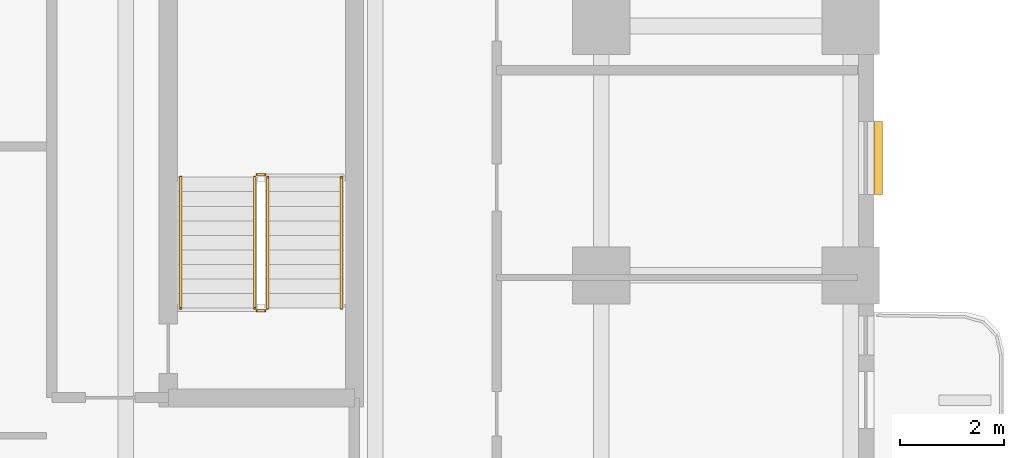
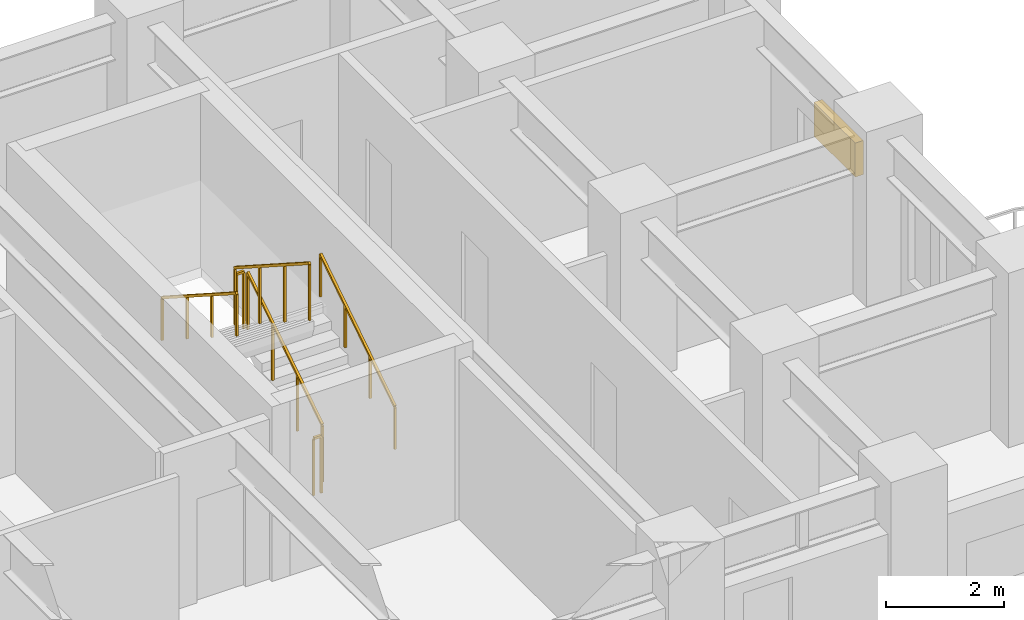
# One storey, part 11 of 11: 6 railings, 1 shading device.
"""IFC4 building model written with IfcOpenShell, lengths in metres."""

import ifcopenshell
import ifcopenshell.guid

model = None  # the IFC model being written
_history = None  # IfcOwnerHistory: only IFC2X3 demands one
_inside = {}  # id of a spatial element -> (the spatial element, [elements in it])
_under = {}  # id of a project, library or spatial element -> (it, [spatial elements below it])
_declared = {}  # id of a project -> (the project, [libraries it declares])
_typed = {}  # id of a type object -> (the type object, [elements of that type])
_made_of = {}  # id of a material, layer set ... -> (it, [elements and type objects made of it])


def new_model(schema):
    """Start an empty IFC model of exactly this schema.

    Asked for "IFC4X3", IfcOpenShell would pick the latest addendum, in which some entities
    have other attributes; the version numbers below select the first issue.
    IFC2X3 requires an IfcOwnerHistory on every rooted entity: one is made here for all.
    """
    global model, _history
    if schema == "IFC4X3":
        model = ifcopenshell.file(schema_version=(4, 3, 0, 0))
    else:
        model = ifcopenshell.file(schema=schema)
    _inside.clear()
    _under.clear()
    _declared.clear()
    _typed.clear()
    _made_of.clear()
    _history = None
    if model.schema == "IFC2X3":
        org = make("IfcOrganization", Name="unknown")
        user = make(
            "IfcPersonAndOrganization",
            ThePerson=make("IfcPerson", FamilyName="unknown"),
            TheOrganization=org,
        )
        app = make(
            "IfcApplication",
            ApplicationDeveloper=org,
            Version="unknown",
            ApplicationFullName="unknown",
            ApplicationIdentifier="unknown",
        )
        _history = make(
            "IfcOwnerHistory",
            OwningUser=user,
            OwningApplication=app,
            ChangeAction="ADDED",
            CreationDate=0,
        )
    return model


def make(cls, **values):
    """One entity of the class cls with the attributes given. An attribute that is None is left unset."""
    return model.create_entity(
        cls, **{name: value for name, value in values.items() if value is not None}
    )


def rooted(cls, **values):
    """An entity with a GlobalId (a new one), such as an element, a storey or a relation."""
    return make(cls, GlobalId=ifcopenshell.guid.new(), OwnerHistory=_history, **values)


def si_unit(unit_type, name, prefix=None):
    """IfcSIUnit, for example si_unit("LENGTHUNIT", "METRE", prefix="MILLI")."""
    return make("IfcSIUnit", UnitType=unit_type, Prefix=prefix, Name=name)


def assignment(units):
    """IfcUnitAssignment: the units of a project."""
    return None if units is None else make("IfcUnitAssignment", Units=units)


def point(xyz):
    """IfcCartesianPoint."""
    return None if xyz is None else make("IfcCartesianPoint", Coordinates=xyz)


def direction(xyz):
    """IfcDirection."""
    return None if xyz is None else make("IfcDirection", DirectionRatios=xyz)


def frame(location, z_axis=None, x_axis=None):
    """IfcAxis2Placement3D, a coordinate frame: its origin and axes. An axis left out is left unset."""
    return make(
        "IfcAxis2Placement3D",
        Location=point(location),
        Axis=direction(z_axis),
        RefDirection=direction(x_axis),
    )


def frame_2d(location, x_axis=None):
    """IfcAxis2Placement2D, a coordinate frame in the plane: its origin and x axis."""
    return make(
        "IfcAxis2Placement2D", Location=point(location), RefDirection=direction(x_axis)
    )


def origin():
    """The frame at (0, 0, 0) with its axes left unset."""
    return frame((0.0, 0.0, 0.0))


def origin_2d():
    """The frame at (0, 0) in the plane with its x axis left unset."""
    return frame_2d((0.0, 0.0))


def place(relative_to, where):
    """IfcLocalPlacement: puts the frame where relative to a parent placement (None: the world)."""
    return make(
        "IfcLocalPlacement", PlacementRelTo=relative_to, RelativePlacement=where
    )


def context(
    kind, dimensions, precision=None, world=None, true_north=None, identifier=None
):
    """IfcGeometricRepresentationContext, for example the 3D "Model" context."""
    return make(
        "IfcGeometricRepresentationContext",
        ContextIdentifier=identifier,
        ContextType=kind,
        CoordinateSpaceDimension=dimensions,
        Precision=precision,
        WorldCoordinateSystem=world,
        TrueNorth=true_north,
    )


def subcontext(parent, identifier, kind, view, scale=None):
    """IfcGeometricRepresentationSubContext, for example "Body" below "Model"."""
    return make(
        "IfcGeometricRepresentationSubContext",
        ContextIdentifier=identifier,
        ContextType=kind,
        ParentContext=parent,
        TargetScale=scale,
        TargetView=view,
    )


def project(units=None, contexts=None):
    """IfcProject with its units and contexts."""
    return rooted(
        "IfcProject",
        Name="project",
        RepresentationContexts=contexts,
        UnitsInContext=assignment(units),
    )


def spatial(cls, under=None, at=None, **own):
    """A site, building, storey or space (cls), placed at a placement, below another one or the project."""
    s = rooted(cls, ObjectPlacement=at, **own)
    if under is not None:
        _under.setdefault(under.id(), (under, []))[1].append(s)
    return s


def profile(cls, at=None, kind="AREA", **sizes):
    """A parametric profile (cls). Its sizes go by their IFC names, for example OverallWidth=200.0."""
    return make(cls, ProfileType=kind, Position=at, **sizes)


def rectangle(**sizes):
    """IfcRectangleProfileDef."""
    return profile("IfcRectangleProfileDef", **sizes)


def extrude(swept, where, along, depth):
    """IfcExtrudedAreaSolid: the profile swept, set in the frame where, extruded along a direction by depth."""
    return make(
        "IfcExtrudedAreaSolid",
        SweptArea=swept,
        Position=where,
        ExtrudedDirection=direction(along),
        Depth=depth,
    )


def shape(context_of_items, identifier, shape_type, items):
    """IfcShapeRepresentation: the items that make up one representation, for example the "Body"."""
    return make(
        "IfcShapeRepresentation",
        ContextOfItems=context_of_items,
        RepresentationIdentifier=identifier,
        RepresentationType=shape_type,
        Items=items,
    )


def material(Name=None, Category=None):
    """IfcMaterial."""
    return make("IfcMaterial", Name=Name, Category=Category)


def made_of(thing, what):
    """Note that an element or type object is made of a material, layer set ...; save() writes the relation."""
    if what is not None:
        _made_of.setdefault(what.id(), (what, []))[1].append(thing)
    return thing


def type_object(cls, material=None, **own):
    """A type object (cls), such as IfcWallType, which elements share."""
    return made_of(rooted(cls, **own), material)


def element(
    cls,
    number,
    at=None,
    inside=None,
    cuts=None,
    type_object=None,
    material=None,
    context=None,
    identifier="Body",
    shape_type=None,
    held_by="IfcProductDefinitionShape",
    body=None,
    shapes=None,
    **own,
):
    """One element of the class cls, such as IfcWall. Its Tag is "e" and its number.

    at: its placement. inside: the storey or other place that contains it. cuts: it is an
    opening in that element (IfcRelVoidsElement). A single representation is given by context,
    identifier, shape_type and body (its items); several are given by shapes. held_by: the class
    of the entity that holds the representations. save() writes the other relations.
    """
    e = rooted(cls, Tag="e%d" % number, ObjectPlacement=at, **own)
    if body is not None:
        shapes = [shape(context, identifier, shape_type, body)]
    if shapes is not None:
        e.Representation = make(held_by, Representations=shapes)
    if inside is not None:
        _inside.setdefault(inside.id(), (inside, []))[1].append(e)
    if cuts is not None:
        rooted(
            "IfcRelVoidsElement", RelatingBuildingElement=cuts, RelatedOpeningElement=e
        )
    if type_object is not None:
        _typed.setdefault(type_object.id(), (type_object, []))[1].append(e)
    return made_of(e, material)


def aggregate(whole, parts):
    """IfcRelAggregates: a whole, such as a stair, and the parts it consists of."""
    return rooted("IfcRelAggregates", RelatingObject=whole, RelatedObjects=parts)


def save(model, path):
    """Write the relations noted so far, then the file.

    IfcRelAggregates (storeys below a building ...), IfcRelContainedInSpatialStructure (elements
    in a storey), IfcRelDefinesByType, IfcRelAssociatesMaterial and IfcRelDeclares: one each for
    every whole, place, type object, material and project.
    """
    for whole, parts in _under.values():
        aggregate(whole, parts)
    for where, things in _inside.values():
        rooted(
            "IfcRelContainedInSpatialStructure",
            RelatedElements=things,
            RelatingStructure=where,
        )
    for kind, things in _typed.values():
        rooted("IfcRelDefinesByType", RelatedObjects=things, RelatingType=kind)
    for what, things in _made_of.values():
        rooted("IfcRelAssociatesMaterial", RelatedObjects=things, RelatingMaterial=what)
    for by, libraries in _declared.values():
        rooted("IfcRelDeclares", RelatingContext=by, RelatedDefinitions=libraries)
    model.write(path)


model = new_model("IFC4")

# Units and contexts
model_context = context("Model", 3, precision=1e-05, world=origin(), true_north=direction((0.0, 1.0)))
body_context = subcontext(model_context, "Body", "Model", "MODEL_VIEW")
ifc_project = project(units=[si_unit("LENGTHUNIT", "METRE"), si_unit("AREAUNIT", "SQUARE_METRE"), si_unit("VOLUMEUNIT", "CUBIC_METRE"), si_unit("PLANEANGLEUNIT", "RADIAN"), si_unit("MASSUNIT", "GRAM", prefix="KILO")], contexts=[model_context])

# Site, building, storey
site_placement = place(None, origin())
site = spatial("IfcSite", under=ifc_project, at=site_placement, CompositionType="ELEMENT")
building_placement = place(site_placement, origin())
building = spatial("IfcBuilding", under=site, at=building_placement, Name="Orvandelia Arch Residences", CompositionType="ELEMENT")
storey_placement = place(building_placement, frame((0.0, 0.0, 93.39990234375)))
storey = spatial("IfcBuildingStorey", under=building, at=storey_placement, Name="L24", CompositionType="ELEMENT", Elevation=93.39990234375)

# Railings
ifc_material_1 = material(Name="Brushed Stainless Steel 304", Category="steel")
railing_type_1 = type_object("IfcRailingType", Name="RL-STAIR-GD1120", PredefinedType="GUARDRAIL", material=ifc_material_1)
railing_1_placement = place(storey_placement, frame((45.929931640625, 37.77001953125, 0.18017578125)))
element("IfcRailing", 1, at=railing_1_placement, inside=storey, type_object=railing_type_1, Name="L24 ST-3 stair guard 1", PredefinedType="GUARDRAIL", context=body_context, shape_type="SweptSolid", body=[
    extrude(rectangle(XDim=0.048095703125, YDim=0.048095703125, at=origin_2d()), frame((0.0, 0.0, 1.17578125), z_axis=(0.0, 0.841199657755, 0.540724639528), x_axis=(-1.0, 0.0, 0.0)), (0.0, 0.0, 1.0), 2.995849609375),
    extrude(rectangle(XDim=0.0419921875, YDim=0.0419921875, at=origin_2d()), origin(), (0.0, 0.0, 1.0), 1.15185546875),
    extrude(rectangle(XDim=0.0419921875, YDim=0.0419921875, at=origin_2d()), frame((0.0, 0.840087890625, 0.5400390625)), (0.0, 0.0, 1.0), 1.15185546875),
    extrude(rectangle(XDim=0.0419921875, YDim=0.0419921875, at=origin_2d()), frame((0.0, 1.679931640625, 1.079833984375)), (0.0, 0.0, 1.0), 1.15185546875),
    extrude(rectangle(XDim=0.0419921875, YDim=0.0419921875, at=origin_2d()), frame((0.0, 2.52001953125, 1.619873046875)), (0.0, 0.0, 1.0), 1.15185546875),
])
railing_2_placement = place(storey_placement, frame((45.8798828125, 40.340087890625, 1.800048828125)))
element("IfcRailing", 2, at=railing_2_placement, inside=storey, type_object=railing_type_1, Name="L24 ST-3 stair guard 2", PredefinedType="GUARDRAIL", context=body_context, shape_type="SweptSolid", body=[
    extrude(rectangle(XDim=0.048095703125, YDim=0.048095703125, at=origin_2d()), frame((0.0, 0.0, 1.17578125), z_axis=(-1.0, 0.0, 0.0), x_axis=(0.0, -1.0, 0.0)), (0.0, 0.0, 1.0), 0.14990234375),
    extrude(rectangle(XDim=0.0419921875, YDim=0.0419921875, at=origin_2d()), origin(), (0.0, 0.0, 1.0), 1.15185546875),
    extrude(rectangle(XDim=0.0419921875, YDim=0.0419921875, at=origin_2d()), frame((-0.14990234375, 0.0, 0.0)), (0.0, 0.0, 1.0), 1.15185546875),
])
railing_3_placement = place(storey_placement, frame((45.679931640625, 40.2900390625, 1.97998046875)))
element("IfcRailing", 3, at=railing_3_placement, inside=storey, type_object=railing_type_1, Name="L24 ST-3 stair guard 3", PredefinedType="GUARDRAIL", context=body_context, shape_type="SweptSolid", body=[
    extrude(rectangle(XDim=0.048095703125, YDim=0.048095703125, at=origin_2d()), frame((0.0, 0.0, 1.17578125), z_axis=(0.0, -0.841162588446, 0.540782303519), x_axis=(1.0, 0.0, 0.0)), (0.0, 0.0, 1.0), 2.995849609375),
    extrude(rectangle(XDim=0.0419921875, YDim=0.0419921875, at=origin_2d()), origin(), (0.0, 0.0, 1.0), 1.15185546875),
    extrude(rectangle(XDim=0.0419921875, YDim=0.0419921875, at=origin_2d()), frame((0.0, -0.840087890625, 0.5400390625)), (0.0, 0.0, 1.0), 1.15185546875),
    extrude(rectangle(XDim=0.0419921875, YDim=0.0419921875, at=origin_2d()), frame((0.0, -1.679931640625, 1.080078125)), (0.0, 0.0, 1.0), 1.15185546875),
    extrude(rectangle(XDim=0.0419921875, YDim=0.0419921875, at=origin_2d()), frame((0.0, -2.52001953125, 1.6201171875)), (0.0, 0.0, 1.0), 1.15185546875),
])
railing_4_placement = place(storey_placement, frame((45.8798828125, 37.719970703125, 0.0)))
element("IfcRailing", 4, at=railing_4_placement, inside=storey, type_object=railing_type_1, Name="L24 ST-3 stair guard 4", PredefinedType="GUARDRAIL", context=body_context, shape_type="SweptSolid", body=[
    extrude(rectangle(XDim=0.048095703125, YDim=0.048095703125, at=origin_2d()), frame((0.0, 0.0, 1.17578125), z_axis=(-1.0, 0.0, 0.0), x_axis=(0.0, -1.0, 0.0)), (0.0, 0.0, 1.0), 0.14990234375),
    extrude(rectangle(XDim=0.0419921875, YDim=0.0419921875, at=origin_2d()), origin(), (0.0, 0.0, 1.0), 1.15185546875),
    extrude(rectangle(XDim=0.0419921875, YDim=0.0419921875, at=origin_2d()), frame((-0.14990234375, 0.0, 0.0)), (0.0, 0.0, 1.0), 1.15185546875),
])
railing_type_2 = type_object("IfcRailingType", Name="RL-STAIR-HR920", PredefinedType="HANDRAIL", material=ifc_material_1)
railing_5_placement = place(storey_placement, frame((47.35009765625, 37.77001953125, 0.360107421875)))
element("IfcRailing", 5, at=railing_5_placement, inside=storey, type_object=railing_type_2, Name="L24 ST-3 stair handrail 1", PredefinedType="HANDRAIL", context=body_context, shape_type="SweptSolid", body=[
    extrude(rectangle(XDim=0.048095703125, YDim=0.048095703125, at=origin_2d()), frame((0.0, 0.0, 0.8759765625), z_axis=(0.0, 0.841199657755, 0.540724639528), x_axis=(-1.0, 0.0, 0.0)), (0.0, 0.0, 1.0), 2.995849609375),
    extrude(rectangle(XDim=0.0419921875, YDim=0.0419921875, at=origin_2d()), origin(), (0.0, 0.0, 1.0), 0.851806640625),
    extrude(rectangle(XDim=0.0419921875, YDim=0.0419921875, at=origin_2d()), frame((0.0, 0.840087890625, 0.5400390625)), (0.0, 0.0, 1.0), 0.851806640625),
    extrude(rectangle(XDim=0.0419921875, YDim=0.0419921875, at=origin_2d()), frame((0.0, 1.679931640625, 1.079833984375)), (0.0, 0.0, 1.0), 0.851806640625),
    extrude(rectangle(XDim=0.0419921875, YDim=0.0419921875, at=origin_2d()), frame((0.0, 2.52001953125, 1.619873046875)), (0.0, 0.0, 1.0), 0.851806640625),
])
railing_6_placement = place(storey_placement, frame((44.260009765625, 40.2900390625, 2.16015625)))
element("IfcRailing", 6, at=railing_6_placement, inside=storey, type_object=railing_type_2, Name="L24 ST-3 stair handrail 2", PredefinedType="HANDRAIL", context=body_context, shape_type="SweptSolid", body=[
    extrude(rectangle(XDim=0.048095703125, YDim=0.048095703125, at=origin_2d()), frame((0.0, 0.0, 0.8759765625), z_axis=(0.0, -0.841199657755, 0.540724639528), x_axis=(1.0, 0.0, 0.0)), (0.0, 0.0, 1.0), 2.995849609375),
    extrude(rectangle(XDim=0.0419921875, YDim=0.0419921875, at=origin_2d()), origin(), (0.0, 0.0, 1.0), 0.851806640625),
    extrude(rectangle(XDim=0.0419921875, YDim=0.0419921875, at=origin_2d()), frame((0.0, -0.840087890625, 0.5400390625)), (0.0, 0.0, 1.0), 0.851806640625),
    extrude(rectangle(XDim=0.0419921875, YDim=0.0419921875, at=origin_2d()), frame((0.0, -1.679931640625, 1.079833984375)), (0.0, 0.0, 1.0), 0.851806640625),
    extrude(rectangle(XDim=0.0419921875, YDim=0.0419921875, at=origin_2d()), frame((0.0, -2.52001953125, 1.619873046875)), (0.0, 0.0, 1.0), 0.851806640625),
])

# Shading device
ifc_material_2 = material(Name="Anodised Champagne-Bronze Extruded Aluminium", Category="aluminium")
shading_device_type = type_object("IfcShadingDeviceType", Name="SHD-JALOUSIE-SCREEN", PredefinedType="JALOUSIE", material=ifc_material_2)
shading_device_placement = place(storey_placement, frame((57.679931640625, 40.659912109375, 1.05029296875), z_axis=(0.0, 0.0, 1.0), x_axis=(0.0, -1.0, 0.0)))
element("IfcShadingDevice", 7, at=shading_device_placement, inside=storey, type_object=shading_device_type, Name="Bronze Jalousie Sun-Shade L24-002", PredefinedType="JALOUSIE", context=body_context, shape_type="SweptSolid", body=[
    extrude(rectangle(XDim=1.39990234375, YDim=0.159912109375, at=origin_2d()), origin(), (0.0, 0.0, 1.0), 0.699951171875),
])

save(model, "model.ifc")
